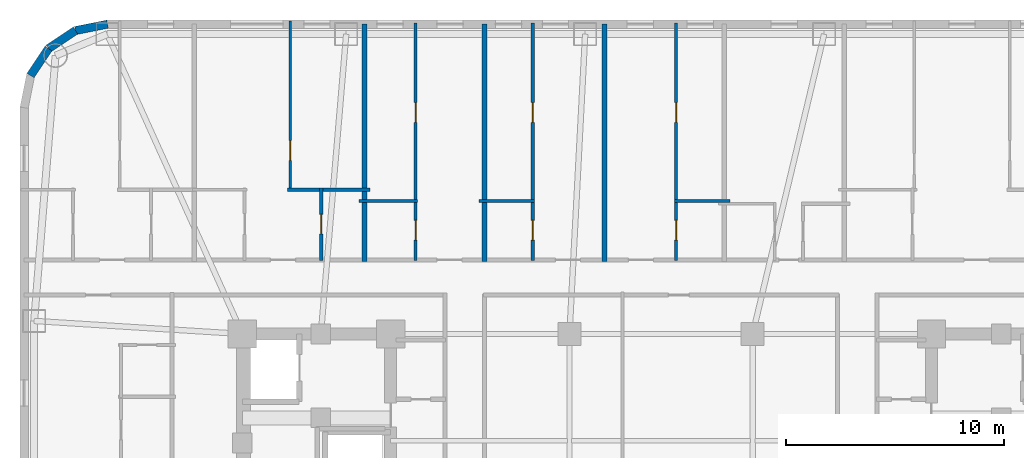
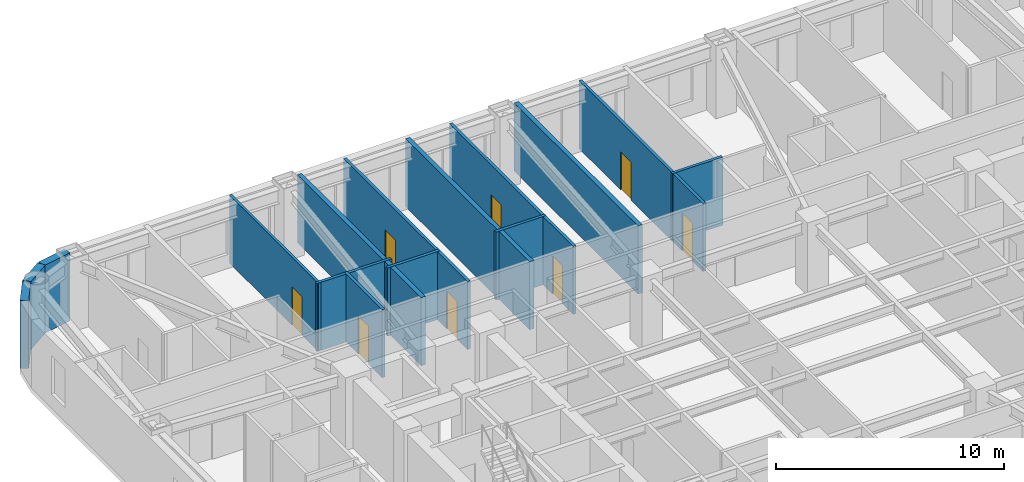
# One storey, part 8 of 12: 18 walls, 8 doors, 8 openings.
"""IFC4 building model written with IfcOpenShell, lengths in metres."""

from ifc_helpers import new_model, si_unit, direction, frame, frame_2d, origin, place, context, subcontext, project, spatial, rectangle, extrude, material, layer, layer_set, type_object, element, fill, save


model = new_model("IFC4")

# Units and contexts
model_context = context("Model", 3, precision=1e-05, world=origin(), true_north=direction((0.0, 1.0)))
body_context = subcontext(model_context, "Body", "Model", "MODEL_VIEW")
ifc_project = project(units=[si_unit("LENGTHUNIT", "METRE"), si_unit("AREAUNIT", "SQUARE_METRE"), si_unit("VOLUMEUNIT", "CUBIC_METRE"), si_unit("PLANEANGLEUNIT", "RADIAN"), si_unit("MASSUNIT", "GRAM", prefix="KILO")], contexts=[model_context])

# Site, building, storey
site_placement = place(None, origin())
site = spatial("IfcSite", under=ifc_project, at=site_placement, CompositionType="ELEMENT")
building_placement = place(site_placement, origin())
building = spatial("IfcBuilding", under=site, at=building_placement, Name="Voryun Gate Residences", CompositionType="ELEMENT")
storey_placement = place(building_placement, frame((0.0, 0.0, 132.60009765625)))
storey = spatial("IfcBuildingStorey", under=building, at=storey_placement, Name="L32", CompositionType="ELEMENT", Elevation=132.60009765625)

# Walls
ifc_material_1 = material(Name="Granite masonry", Category="masonry")
ifc_layer_1 = layer(ifc_material_1, 0.3798828125, Name="W_EXT_GRANITE_380")
ifc_layer_set_1 = layer_set([ifc_layer_1], Name="Granite masonry")
wall_type_1 = type_object("IfcWallType", Name="W_EXT_GRANITE_380", PredefinedType="ELEMENTEDWALL", material=ifc_layer_set_1)
wall_1_placement = place(storey_placement, frame((-28.91650390625, 19.256591796875, 0.0), z_axis=(0.0, 0.0, 1.0), x_axis=(0.555610286119, 0.831442848281, 0.0)))
element("IfcWall", 1, at=wall_1_placement, inside=storey, type_object=wall_type_1, Name="Exterior wall WEXT-L32-08", PredefinedType="ELEMENTEDWALL", context=body_context, shape_type="SweptSolid", body=[
    extrude(rectangle(XDim=1.485107421875, YDim=0.3798828125, at=frame_2d((0.74267578125, 0.0))), origin(), (0.0, 0.0, 1.0), 3.64990234375),
])
wall_2_placement = place(storey_placement, frame((-28.09130859375, 20.491455078125, 0.0), z_axis=(0.0, 0.0, 1.0), x_axis=(0.831468045563, 0.555572577804, 0.0)))
element("IfcWall", 2, at=wall_2_placement, inside=storey, type_object=wall_type_1, Name="Exterior wall WEXT-L32-09", PredefinedType="ELEMENTEDWALL", context=body_context, shape_type="SweptSolid", body=[
    extrude(rectangle(XDim=1.48486328125, YDim=0.3798828125, at=frame_2d((0.742431640625, 0.0))), origin(), (0.0, 0.0, 1.0), 3.64990234375),
])
wall_3_placement = place(storey_placement, frame((-26.856689453125, 21.31640625, 0.0), z_axis=(0.0, 0.0, 1.0), x_axis=(0.980755066645, 0.195242155415, 0.0)))
element("IfcWall", 3, at=wall_3_placement, inside=storey, type_object=wall_type_1, Name="Exterior wall WEXT-L32-10", PredefinedType="ELEMENTEDWALL", context=body_context, shape_type="SweptSolid", body=[
    extrude(rectangle(XDim=1.50439453125, YDim=0.3798828125, at=frame_2d((0.752197265625, 0.0))), origin(), (0.0, 0.0, 1.0), 3.64990234375),
])
ifc_material_2 = material(Name="Concrete C40/50", Category="concrete")
ifc_layer_2 = layer(ifc_material_2, 0.219970703125, Name="W_PARTY_ACOUSTIC_220")
ifc_layer_set_2 = layer_set([ifc_layer_2], Name="Concrete C40/50")
wall_type_2 = type_object("IfcWallType", Name="W_PARTY_ACOUSTIC_220", PredefinedType="PARTITIONING", material=ifc_layer_set_2)
for number, where, z_axis, x_axis, name in (
    (4, (-13.60009765625, 10.719970703125, 0.0), (0.0, 0.0, 1.0), (0.0, 1.0, 0.0), "Partition wall WP-L32-NPTY-2"),
    (5, (-8.10009765625, 10.719970703125, 0.0), (0.0, 0.0, 1.0), (0.0, 1.0, 0.0), "Partition wall WP-L32-NPTY-3"),
    (6, (-2.60009765625, 10.719970703125, 0.0), (0.0, 0.0, 1.0), (0.0, 1.0, 0.0), "Partition wall WP-L32-NPTY-4"),
):
    element("IfcWall", number, at=place(storey_placement, frame(where, z_axis=z_axis, x_axis=x_axis)), inside=storey, type_object=wall_type_2, Name=name, PredefinedType="PARTITIONING", context=body_context, shape_type="SweptSolid", body=[
        extrude(rectangle(XDim=10.89013671875, YDim=0.219970703125, at=frame_2d((5.445068359375, 0.0))), origin(), (0.0, 0.0, 1.0), 3.64990234375),
    ])

# Wall, opening, door
ifc_material_3 = material(Name="Gypsum acoustic partition")
ifc_layer_3 = layer(ifc_material_3, 0.125, Name="W_UNIT_PART_125")
ifc_layer_set_3 = layer_set([ifc_layer_3], Name="Gypsum acoustic partition")
wall_type_3 = type_object("IfcWallType", Name="W_UNIT_PART_125", PredefinedType="PARTITIONING", material=ifc_layer_set_3)
wall_4_placement = place(storey_placement, frame((-17.010009765625, 13.93994140625, 0.0), z_axis=(0.0, 0.0, 1.0), x_axis=(0.0, 1.0, 0.0)))
wall_4 = element("IfcWall", 7, at=wall_4_placement, inside=storey, type_object=wall_type_3, Name="Partition wall WP-L32-N2-OVR", PredefinedType="PARTITIONING", context=body_context, shape_type="SweptSolid", body=[
    extrude(rectangle(XDim=7.820068359375, YDim=0.125, at=frame_2d((3.91015625, 0.0))), origin(), (0.0, 0.0, 1.0), 3.64990234375),
])
opening_1_placement = place(wall_4_placement, frame((1.4267578125, 0.0, 0.0)))
opening_1 = element("IfcOpeningElement", 8, at=opening_1_placement, cuts=wall_4, Name="Opening D-INT-2", PredefinedType="OPENING", context=body_context, shape_type="SweptSolid", body=[
    extrude(rectangle(XDim=0.89990234375, YDim=2.050048828125, at=frame_2d((0.449951171875, 1.02490234375))), frame((0.0, 0.072509765625, 0.0), z_axis=(0.0, -1.0, 0.0), x_axis=(1.0, 0.0, 0.0)), (0.0, 0.0, 1.0), 0.14501953125),
])
ifc_material_4 = material(Name="Architectural oak veneer")
door_type = type_object("IfcDoorType", Name="DR_INT_BATH_900", OperationType="NOTDEFINED", PredefinedType="DOOR", material=ifc_material_4)
door_1_placement = place(opening_1_placement, origin())
door_1 = element("IfcDoor", 9, at=door_1_placement, inside=storey, type_object=door_type, Name="Door DR-L32-N2-DMB", OperationType="SINGLE_SWING_RIGHT", OverallHeight=2.050048828125, OverallWidth=0.89990234375, PredefinedType="DOOR", context=body_context, shape_type="SweptSolid", body=[
    extrude(rectangle(XDim=0.89990234375, YDim=2.050048828125, at=frame_2d((0.449951171875, 1.02490234375))), frame((0.0, 0.02490234375, 0.0), z_axis=(0.0, -1.0, 0.0), x_axis=(1.0, 0.0, 0.0)), (0.0, 0.0, 1.0), 0.050048828125),
])
fill(opening_1, door_1)

# Wall
ifc_material_5 = material(Name="Gypsum moisture-resistant partition")
ifc_layer_4 = layer(ifc_material_5, 0.14990234375, Name="W_WET_PLUMB_150")
ifc_layer_set_4 = layer_set([ifc_layer_4], Name="Gypsum moisture-resistant partition")
wall_type_4 = type_object("IfcWallType", Name="W_WET_PLUMB_150", PredefinedType="PLUMBINGWALL", material=ifc_layer_set_4)
wall_5_placement = place(storey_placement, frame((-17.1298828125, 14.02001953125, 0.0), z_axis=(0.0, 0.0, 1.0), x_axis=(1.0, 0.0, 0.0)))
element("IfcWall", 10, at=wall_5_placement, inside=storey, type_object=wall_type_4, Name="Partition wall WP-L32-N2-HZB", PredefinedType="PLUMBINGWALL", context=body_context, shape_type="SweptSolid", body=[
    extrude(rectangle(XDim=3.789794921875, YDim=0.14990234375, at=frame_2d((1.89501953125, 0.0))), origin(), (0.0, 0.0, 1.0), 3.64990234375),
])

# Wall, opening, door
wall_6_placement = place(storey_placement, frame((-15.580078125, 10.780029296875, 0.0), z_axis=(0.0, 0.0, 1.0), x_axis=(0.0, 1.0, 0.0)))
wall_6 = element("IfcWall", 11, at=wall_6_placement, inside=storey, type_object=wall_type_4, Name="Partition wall WP-L32-N2-IVB", PredefinedType="PLUMBINGWALL", context=body_context, shape_type="SweptSolid", body=[
    extrude(rectangle(XDim=3.320068359375, YDim=0.14990234375, at=frame_2d((1.66015625, 0.0))), origin(), (0.0, 0.0, 1.0), 3.64990234375),
])
opening_2_placement = place(wall_6_placement, frame((1.2099609375, 0.0, 0.0)))
opening_2 = element("IfcOpeningElement", 12, at=opening_2_placement, cuts=wall_6, Name="Opening D-INT-2", PredefinedType="OPENING", context=body_context, shape_type="SweptSolid", body=[
    extrude(rectangle(XDim=0.89990234375, YDim=2.050048828125, at=frame_2d((0.449951171875, 1.02490234375))), frame((0.0, 0.0849609375, 0.0), z_axis=(0.0, -1.0, 0.0), x_axis=(1.0, 0.0, 0.0)), (0.0, 0.0, 1.0), 0.169921875),
])
door_2_placement = place(opening_2_placement, origin())
door_2 = element("IfcDoor", 13, at=door_2_placement, inside=storey, type_object=door_type, Name="Door DR-L32-N2-DB", OperationType="SINGLE_SWING_RIGHT", OverallHeight=2.050048828125, OverallWidth=0.89990234375, PredefinedType="DOOR", context=body_context, shape_type="SweptSolid", body=[
    extrude(rectangle(XDim=0.89990234375, YDim=2.050048828125, at=frame_2d((0.449951171875, 1.02490234375))), frame((0.0, 0.02490234375, 0.0), z_axis=(0.0, -1.0, 0.0), x_axis=(1.0, 0.0, 0.0)), (0.0, 0.0, 1.0), 0.050048828125),
])
fill(opening_2, door_2)

# Wall
wall_7_placement = place(storey_placement, frame((-13.860107421875, 13.5, 0.0), z_axis=(0.0, 0.0, 1.0), x_axis=(1.0, 0.0, 0.0)))
element("IfcWall", 14, at=wall_7_placement, inside=storey, type_object=wall_type_4, Name="Partition wall WP-L32-N3-SKB", PredefinedType="PLUMBINGWALL", context=body_context, shape_type="SweptSolid", body=[
    extrude(rectangle(XDim=2.68115234375, YDim=0.14990234375, at=frame_2d((1.340576171875, 0.0))), origin(), (0.0, 0.0, 1.0), 3.64990234375),
])

# Wall, opening, door
wall_8_placement = place(storey_placement, frame((-11.259033203125, 10.780029296875, 0.0), z_axis=(0.0, 0.0, 1.0), x_axis=(0.0, 1.0, 0.0)))
wall_8 = element("IfcWall", 15, at=wall_8_placement, inside=storey, type_object=wall_type_4, Name="Partition wall WP-L32-N3-SVT1", PredefinedType="PLUMBINGWALL", context=body_context, shape_type="SweptSolid", body=[
    extrude(rectangle(XDim=2.760009765625, YDim=0.14990234375, at=frame_2d((1.3798828125, 0.0))), origin(), (0.0, 0.0, 1.0), 3.64990234375),
])
opening_3_placement = place(wall_8_placement, frame((0.929931640625, 0.0, 0.0)))
opening_3 = element("IfcOpeningElement", 16, at=opening_3_placement, cuts=wall_8, Name="Opening D-INT-2", PredefinedType="OPENING", context=body_context, shape_type="SweptSolid", body=[
    extrude(rectangle(XDim=0.89990234375, YDim=2.050048828125, at=frame_2d((0.449951171875, 1.02490234375))), frame((0.0, 0.0849609375, 0.0), z_axis=(0.0, -1.0, 0.0), x_axis=(1.0, 0.0, 0.0)), (0.0, 0.0, 1.0), 0.169921875),
])
door_3_placement = place(opening_3_placement, origin())
door_3 = element("IfcDoor", 17, at=door_3_placement, inside=storey, type_object=door_type, Name="Door DR-L32-N3-DB", OperationType="SINGLE_SWING_LEFT", OverallHeight=2.050048828125, OverallWidth=0.89990234375, PredefinedType="DOOR", context=body_context, shape_type="SweptSolid", body=[
    extrude(rectangle(XDim=0.89990234375, YDim=2.050048828125, at=frame_2d((0.449951171875, 1.02490234375))), frame((0.0, 0.02490234375, 0.0), z_axis=(0.0, -1.0, 0.0), x_axis=(1.0, 0.0, 0.0)), (0.0, 0.0, 1.0), 0.050048828125),
])
fill(opening_3, door_3)

wall_9_placement = place(storey_placement, frame((-11.259033203125, 13.4599609375, 0.0), z_axis=(0.0, 0.0, 1.0), x_axis=(0.0, 1.0, 0.0)))
wall_9 = element("IfcWall", 18, at=wall_9_placement, inside=storey, type_object=wall_type_4, Name="Partition wall WP-L32-N3-SVT2", PredefinedType="PLUMBINGWALL", context=body_context, shape_type="SweptSolid", body=[
    extrude(rectangle(XDim=8.19775390625, YDim=0.14990234375, at=frame_2d((4.098876953125, 0.0))), origin(), (0.0, 0.0, 1.0), 3.64990234375),
])
opening_4_placement = place(wall_9_placement, frame((3.648681640625, 0.0, 0.0)))
opening_4 = element("IfcOpeningElement", 19, at=opening_4_placement, cuts=wall_9, Name="Opening D-INT-2", PredefinedType="OPENING", context=body_context, shape_type="SweptSolid", body=[
    extrude(rectangle(XDim=0.89990234375, YDim=2.050048828125, at=frame_2d((0.449951171875, 1.02490234375))), frame((0.0, 0.0849609375, 0.0), z_axis=(0.0, -1.0, 0.0), x_axis=(1.0, 0.0, 0.0)), (0.0, 0.0, 1.0), 0.169921875),
])
door_4_placement = place(opening_4_placement, origin())
door_4 = element("IfcDoor", 20, at=door_4_placement, inside=storey, type_object=door_type, Name="Door DR-L32-N3-DK", OperationType="SINGLE_SWING_RIGHT", OverallHeight=2.050048828125, OverallWidth=0.89990234375, PredefinedType="DOOR", context=body_context, shape_type="SweptSolid", body=[
    extrude(rectangle(XDim=0.89990234375, YDim=2.050048828125, at=frame_2d((0.449951171875, 1.02490234375))), frame((0.0, 0.02490234375, 0.0), z_axis=(0.0, -1.0, 0.0), x_axis=(1.0, 0.0, 0.0)), (0.0, 0.0, 1.0), 0.050048828125),
])
fill(opening_4, door_4)

# Wall
wall_10_placement = place(storey_placement, frame((-8.360107421875, 13.5, 0.0), z_axis=(0.0, 0.0, 1.0), x_axis=(1.0, 0.0, 0.0)))
element("IfcWall", 21, at=wall_10_placement, inside=storey, type_object=wall_type_4, Name="Partition wall WP-L32-N4-SKB", PredefinedType="PLUMBINGWALL", context=body_context, shape_type="SweptSolid", body=[
    extrude(rectangle(XDim=2.550048828125, YDim=0.14990234375, at=frame_2d((1.27490234375, 0.0))), origin(), (0.0, 0.0, 1.0), 3.64990234375),
])

# Wall, opening, door
wall_11_placement = place(storey_placement, frame((-5.889892578125, 10.780029296875, 0.0), z_axis=(0.0, 0.0, 1.0), x_axis=(0.0, 1.0, 0.0)))
wall_11 = element("IfcWall", 22, at=wall_11_placement, inside=storey, type_object=wall_type_4, Name="Partition wall WP-L32-N4-SVT1", PredefinedType="PLUMBINGWALL", context=body_context, shape_type="SweptSolid", body=[
    extrude(rectangle(XDim=2.760009765625, YDim=0.14990234375, at=frame_2d((1.3798828125, 0.0))), origin(), (0.0, 0.0, 1.0), 3.64990234375),
])
opening_5_placement = place(wall_11_placement, frame((0.929931640625, 0.0, 0.0)))
opening_5 = element("IfcOpeningElement", 23, at=opening_5_placement, cuts=wall_11, Name="Opening D-INT-2", PredefinedType="OPENING", context=body_context, shape_type="SweptSolid", body=[
    extrude(rectangle(XDim=0.89990234375, YDim=2.050048828125, at=frame_2d((0.449951171875, 1.02490234375))), frame((0.0, 0.0849609375, 0.0), z_axis=(0.0, -1.0, 0.0), x_axis=(1.0, 0.0, 0.0)), (0.0, 0.0, 1.0), 0.169921875),
])
door_5_placement = place(opening_5_placement, origin())
door_5 = element("IfcDoor", 24, at=door_5_placement, inside=storey, type_object=door_type, Name="Door DR-L32-N4-DB", OperationType="SINGLE_SWING_LEFT", OverallHeight=2.050048828125, OverallWidth=0.89990234375, PredefinedType="DOOR", context=body_context, shape_type="SweptSolid", body=[
    extrude(rectangle(XDim=0.89990234375, YDim=2.050048828125, at=frame_2d((0.449951171875, 1.02490234375))), frame((0.0, 0.02490234375, 0.0), z_axis=(0.0, -1.0, 0.0), x_axis=(1.0, 0.0, 0.0)), (0.0, 0.0, 1.0), 0.050048828125),
])
fill(opening_5, door_5)

wall_12_placement = place(storey_placement, frame((-5.889892578125, 13.4599609375, 0.0), z_axis=(0.0, 0.0, 1.0), x_axis=(0.0, 1.0, 0.0)))
wall_12 = element("IfcWall", 25, at=wall_12_placement, inside=storey, type_object=wall_type_4, Name="Partition wall WP-L32-N4-SVT2", PredefinedType="PLUMBINGWALL", context=body_context, shape_type="SweptSolid", body=[
    extrude(rectangle(XDim=8.19775390625, YDim=0.14990234375, at=frame_2d((4.098876953125, 0.0))), origin(), (0.0, 0.0, 1.0), 3.64990234375),
])
opening_6_placement = place(wall_12_placement, frame((3.648681640625, 0.0, 0.0)))
opening_6 = element("IfcOpeningElement", 26, at=opening_6_placement, cuts=wall_12, Name="Opening D-INT-2", PredefinedType="OPENING", context=body_context, shape_type="SweptSolid", body=[
    extrude(rectangle(XDim=0.89990234375, YDim=2.050048828125, at=frame_2d((0.449951171875, 1.02490234375))), frame((0.0, 0.0849609375, 0.0), z_axis=(0.0, -1.0, 0.0), x_axis=(1.0, 0.0, 0.0)), (0.0, 0.0, 1.0), 0.169921875),
])
door_6_placement = place(opening_6_placement, origin())
door_6 = element("IfcDoor", 27, at=door_6_placement, inside=storey, type_object=door_type, Name="Door DR-L32-N4-DK", OperationType="SINGLE_SWING_RIGHT", OverallHeight=2.050048828125, OverallWidth=0.89990234375, PredefinedType="DOOR", context=body_context, shape_type="SweptSolid", body=[
    extrude(rectangle(XDim=0.89990234375, YDim=2.050048828125, at=frame_2d((0.449951171875, 1.02490234375))), frame((0.0, 0.02490234375, 0.0), z_axis=(0.0, -1.0, 0.0), x_axis=(1.0, 0.0, 0.0)), (0.0, 0.0, 1.0), 0.050048828125),
])
fill(opening_6, door_6)

# Wall
wall_13_placement = place(storey_placement, frame((0.610107421875, 13.5, 0.0), z_axis=(0.0, 0.0, 1.0), x_axis=(1.0, 0.0, 0.0)))
element("IfcWall", 28, at=wall_13_placement, inside=storey, type_object=wall_type_4, Name="Partition wall WP-L32-N5-SKB", PredefinedType="PLUMBINGWALL", context=body_context, shape_type="SweptSolid", body=[
    extrude(rectangle(XDim=2.5498046875, YDim=0.14990234375, at=frame_2d((1.27490234375, 0.0))), origin(), (0.0, 0.0, 1.0), 3.64990234375),
])

# Wall, opening, door
wall_14_placement = place(storey_placement, frame((0.68994140625, 10.780029296875, 0.0), z_axis=(0.0, 0.0, 1.0), x_axis=(0.0, 1.0, 0.0)))
wall_14 = element("IfcWall", 29, at=wall_14_placement, inside=storey, type_object=wall_type_4, Name="Partition wall WP-L32-N5-SVT1", PredefinedType="PLUMBINGWALL", context=body_context, shape_type="SweptSolid", body=[
    extrude(rectangle(XDim=2.760009765625, YDim=0.14990234375, at=frame_2d((1.3798828125, 0.0))), origin(), (0.0, 0.0, 1.0), 3.64990234375),
])
opening_7_placement = place(wall_14_placement, frame((0.929931640625, 0.0, 0.0)))
opening_7 = element("IfcOpeningElement", 30, at=opening_7_placement, cuts=wall_14, Name="Opening D-INT-2", PredefinedType="OPENING", context=body_context, shape_type="SweptSolid", body=[
    extrude(rectangle(XDim=0.89990234375, YDim=2.050048828125, at=frame_2d((0.449951171875, 1.02490234375))), frame((0.0, 0.0849609375, 0.0), z_axis=(0.0, -1.0, 0.0), x_axis=(1.0, 0.0, 0.0)), (0.0, 0.0, 1.0), 0.169921875),
])
door_7_placement = place(opening_7_placement, origin())
door_7 = element("IfcDoor", 31, at=door_7_placement, inside=storey, type_object=door_type, Name="Door DR-L32-N5-DB", OperationType="SINGLE_SWING_LEFT", OverallHeight=2.050048828125, OverallWidth=0.89990234375, PredefinedType="DOOR", context=body_context, shape_type="SweptSolid", body=[
    extrude(rectangle(XDim=0.89990234375, YDim=2.050048828125, at=frame_2d((0.449951171875, 1.02490234375))), frame((0.0, 0.02490234375, 0.0), z_axis=(0.0, -1.0, 0.0), x_axis=(1.0, 0.0, 0.0)), (0.0, 0.0, 1.0), 0.050048828125),
])
fill(opening_7, door_7)

wall_15_placement = place(storey_placement, frame((0.68994140625, 13.4599609375, 0.0), z_axis=(0.0, 0.0, 1.0), x_axis=(0.0, 1.0, 0.0)))
wall_15 = element("IfcWall", 32, at=wall_15_placement, inside=storey, type_object=wall_type_4, Name="Partition wall WP-L32-N5-SVT2", PredefinedType="PLUMBINGWALL", context=body_context, shape_type="SweptSolid", body=[
    extrude(rectangle(XDim=8.19775390625, YDim=0.14990234375, at=frame_2d((4.098876953125, 0.0))), origin(), (0.0, 0.0, 1.0), 3.64990234375),
])
opening_8_placement = place(wall_15_placement, frame((3.648681640625, 0.0, 0.0)))
opening_8 = element("IfcOpeningElement", 33, at=opening_8_placement, cuts=wall_15, Name="Opening D-INT-2", PredefinedType="OPENING", context=body_context, shape_type="SweptSolid", body=[
    extrude(rectangle(XDim=0.89990234375, YDim=2.050048828125, at=frame_2d((0.449951171875, 1.02490234375))), frame((0.0, 0.0849609375, 0.0), z_axis=(0.0, -1.0, 0.0), x_axis=(1.0, 0.0, 0.0)), (0.0, 0.0, 1.0), 0.169921875),
])
door_8_placement = place(opening_8_placement, origin())
door_8 = element("IfcDoor", 34, at=door_8_placement, inside=storey, type_object=door_type, Name="Door DR-L32-N5-DK", OperationType="SINGLE_SWING_RIGHT", OverallHeight=2.050048828125, OverallWidth=0.89990234375, PredefinedType="DOOR", context=body_context, shape_type="SweptSolid", body=[
    extrude(rectangle(XDim=0.89990234375, YDim=2.050048828125, at=frame_2d((0.449951171875, 1.02490234375))), frame((0.0, 0.02490234375, 0.0), z_axis=(0.0, -1.0, 0.0), x_axis=(1.0, 0.0, 0.0)), (0.0, 0.0, 1.0), 0.050048828125),
])
fill(opening_8, door_8)

save(model, "model.ifc")
